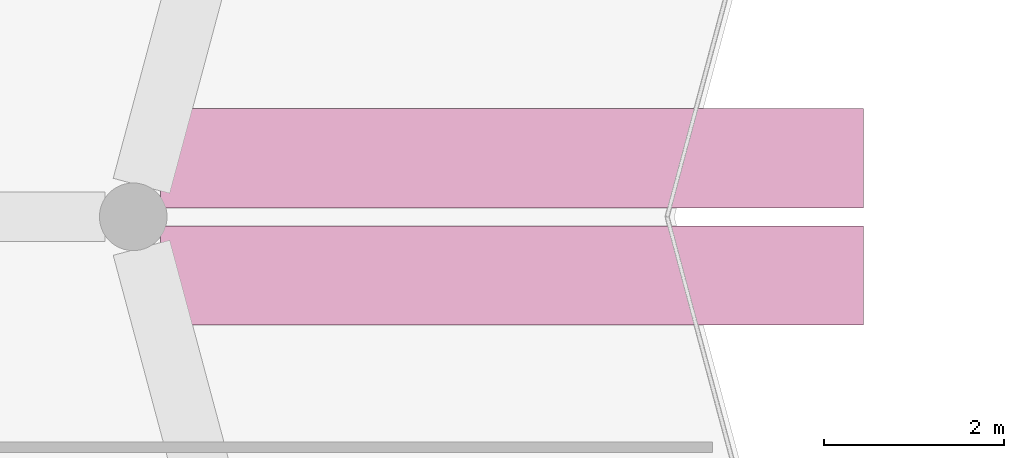
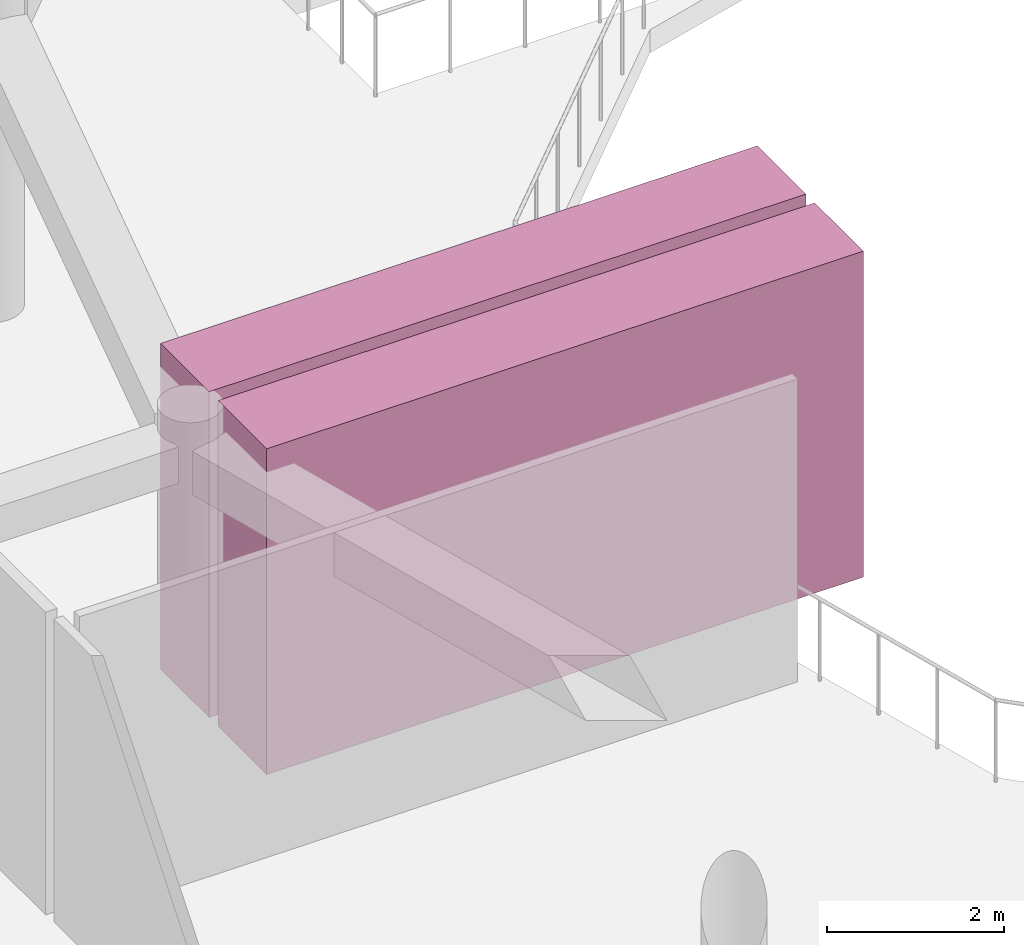
# One storey, part 100 of 100: 2 transport elements.
"""IFC4 building model written with IfcOpenShell, lengths in metres."""

from ifc_helpers import new_model, si_unit, derived_unit, direction, frame, origin, origin_2d, place, context, subcontext, project, spatial, rectangle, extrude, material, type_object, element, save


model = new_model("IFC4")

# Units and contexts
model_context = context("Model", 3, precision=1e-05, world=origin(), true_north=direction((0.0, 1.0)))
body_context = subcontext(model_context, "Body", "Model", "MODEL_VIEW")
ifc_project = project(units=[si_unit("LENGTHUNIT", "METRE"), si_unit("AREAUNIT", "SQUARE_METRE"), si_unit("VOLUMEUNIT", "CUBIC_METRE"), si_unit("PLANEANGLEUNIT", "RADIAN"), si_unit("MASSUNIT", "GRAM", prefix="KILO"), derived_unit("THERMALTRANSMITTANCEUNIT", [(si_unit("POWERUNIT", "WATT"), 1), (si_unit("LENGTHUNIT", "METRE"), -2), (si_unit("THERMODYNAMICTEMPERATUREUNIT", "KELVIN"), -1)])], contexts=[model_context])

# Site, building, storey
site_placement = place(None, origin())
site = spatial("IfcSite", under=ifc_project, at=site_placement, CompositionType="ELEMENT")
building_placement = place(site_placement, origin())
building = spatial("IfcBuilding", under=site, at=building_placement, Name="Veybourne Emporium", CompositionType="ELEMENT")
storey_placement = place(building_placement, frame((0.0, 0.0, 14.39990234375)))
storey = spatial("IfcBuildingStorey", under=building, at=storey_placement, Name="L03", CompositionType="ELEMENT", Elevation=14.39990234375)

# Transport elements
ifc_material = material(Name="Brushed Stainless Steel", Category="steel")
transport_element_type = type_object("IfcTransportElementType", Name="Escalator_ESC-01", PredefinedType="ESCALATOR", material=ifc_material)
for number, where, z_axis, x_axis, name in (
    (1, (63.0, 49.75, 0.0), (0.0, 0.0, 1.0), (1.0, 0.0, 0.0), "Atrium criss-cross escalator ES-07 (L03 to L04)"),
    (2, (63.0, 51.050048828125, 0.0), (0.0, 0.0, 1.0), (1.0, 0.0, 0.0), "Atrium criss-cross escalator ES-08 (L03 to L04)"),
):
    element("IfcTransportElement", number, at=place(storey_placement, frame(where, z_axis=z_axis, x_axis=x_axis)), inside=storey, type_object=transport_element_type, Name=name, PredefinedType="ESCALATOR", context=body_context, shape_type="SweptSolid", body=[
        extrude(rectangle(XDim=7.7939453125, YDim=1.10009765625, at=origin_2d()), origin(), (0.0, 0.0, 1.0), 4.5),
    ])

save(model, "model.ifc")
